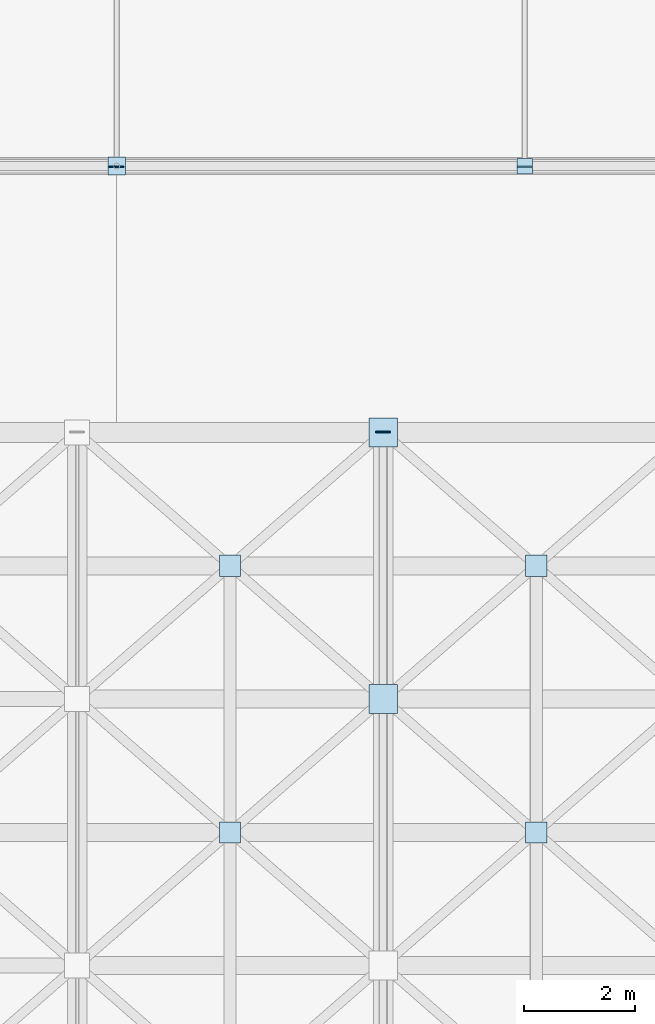
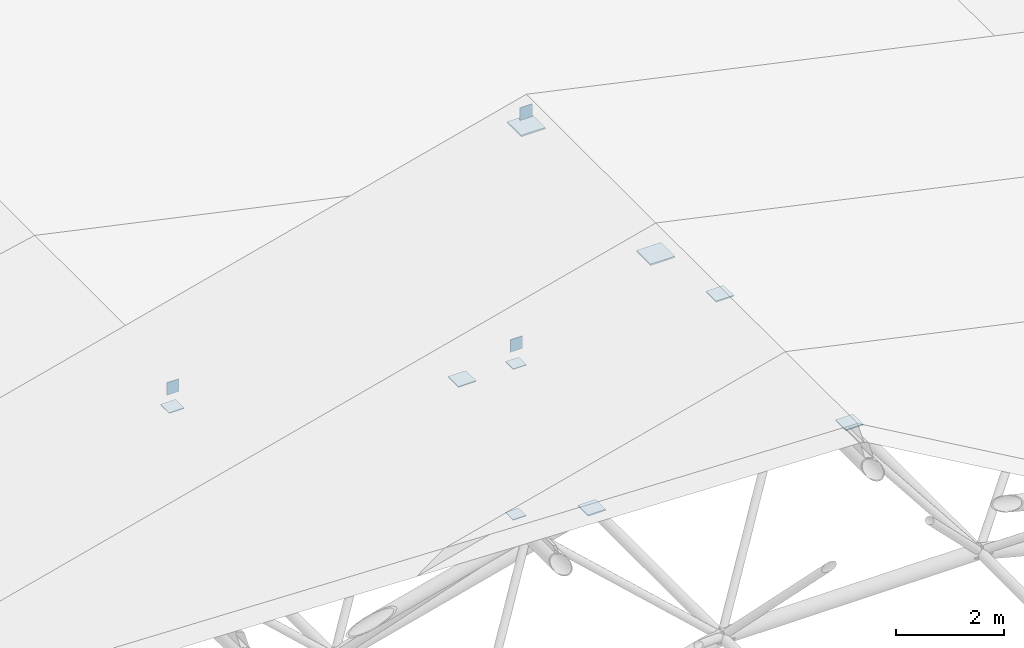
# One storey, part 49 of 60: 12 plates.
"""IFC4 building model written with IfcOpenShell, lengths in metres."""

from ifc_helpers import new_model, si_unit, direction, frame, origin, origin_2d, place, context, subcontext, project, spatial, rectangle, extrude, material, type_object, element, save


model = new_model("IFC4")

# Units and contexts
model_context = context("Model", 3, precision=1e-05, world=origin(), true_north=direction((0.0, 1.0)))
body_context = subcontext(model_context, "Body", "Model", "MODEL_VIEW")
ifc_project = project(units=[si_unit("LENGTHUNIT", "METRE"), si_unit("AREAUNIT", "SQUARE_METRE"), si_unit("VOLUMEUNIT", "CUBIC_METRE"), si_unit("PLANEANGLEUNIT", "RADIAN"), si_unit("MASSUNIT", "GRAM", prefix="KILO")], contexts=[model_context])

# Site, building, storey
site_placement = place(None, origin())
site = spatial("IfcSite", under=ifc_project, at=site_placement, CompositionType="ELEMENT")
building_placement = place(site_placement, origin())
building = spatial("IfcBuilding", under=site, at=building_placement, Name="Nakhvara Creek Congress Hotel", CompositionType="ELEMENT")
storey_placement = place(building_placement, frame((0.0, 0.0, 54.60009765625)))
storey = spatial("IfcBuildingStorey", under=building, at=storey_placement, Name="RL1", CompositionType="ELEMENT", Elevation=54.60009765625)

# Plates
ifc_material = material(Name="Steel S355J2", Category="steel")
plate_type_1 = type_object("IfcPlateType", Name="PLT-CAP-260X280X20", PredefinedType="USERDEFINED", material=ifc_material)
for number, where, z_axis, x_axis, name in (
    (1, (31.199951171875, 86.409912109375, -29.13330078125), (0.0, 0.0, 1.0), (1.0, 0.0, 0.0), "Congress Purlin End-Cap Plate SN08-05N"),
    (2, (26.39990234375, 91.18994140625, -36.57373046875), (0.0, 0.0, 1.0), (1.0, 0.0, 0.0), "Ballroom Purlin End-Cap Plate SN08-4S"),
    (3, (33.75, 91.18994140625, -38.173828125), (0.0, 0.0, 1.0), (1.0, 0.0, 0.0), "Ballroom Purlin End-Cap Plate SN08-5S"),
):
    element("IfcPlate", number, at=place(storey_placement, frame(where, z_axis=z_axis, x_axis=x_axis)), inside=storey, type_object=plate_type_1, Name=name, ObjectType="GUSSET_PLATE", PredefinedType="USERDEFINED", context=body_context, shape_type="SweptSolid", body=[
        extrude(rectangle(XDim=0.260009765625, YDim=0.02001953125, at=origin_2d()), origin(), (0.0, 0.0, 1.0), 0.280029296875),
    ])
plate_type_2 = type_object("IfcPlateType", Name="PLT-NODE-280X280X18", PredefinedType="USERDEFINED", material=ifc_material)
for number, where, z_axis, x_axis, name in (
    (4, (33.75, 91.199951171875, -41.899169921875), (0.0, 0.0, 1.0), (1.0, 0.0, 0.0), "Ballroom Truss Node Gusset Plate SN-007"),
    (5, (33.75, 91.199951171875, -38.489013671875), (0.0, 0.0, 1.0), (1.0, 0.0, 0.0), "Ballroom Truss Rafter Gusset Plate SN-008"),
):
    element("IfcPlate", number, at=place(storey_placement, frame(where, z_axis=z_axis, x_axis=x_axis)), inside=storey, type_object=plate_type_2, Name=name, ObjectType="GUSSET_PLATE", PredefinedType="USERDEFINED", context=body_context, shape_type="SweptSolid", body=[
        extrude(rectangle(XDim=0.280029296875, YDim=0.280029296875, at=origin_2d()), origin(), (0.0, 0.0, 1.0), 0.01806640625),
    ])
plate_type_3 = type_object("IfcPlateType", Name="PLT-NODE-320X320X20", PredefinedType="USERDEFINED", material=ifc_material)
plate_placement = place(storey_placement, frame((26.39990234375, 91.199951171875, -36.89013671875), z_axis=(0.0, 0.0, 1.0), x_axis=(1.0, 0.0, 0.0)))
element("IfcPlate", 6, at=plate_placement, inside=storey, type_object=plate_type_3, Name="Ballroom Truss Node Gusset Plate SN-006", ObjectType="GUSSET_PLATE", PredefinedType="USERDEFINED", context=body_context, shape_type="SweptSolid", body=[
    extrude(rectangle(XDim=0.320068359375, YDim=0.320068359375, at=origin_2d()), origin(), (0.0, 0.0, 1.0), 0.02001953125),
])
plate_type_4 = type_object("IfcPlateType", Name="PLT-NODE-380X380X24", PredefinedType="USERDEFINED", material=ifc_material)
for number, where, z_axis, x_axis, name in (
    (7, (28.44384765625, 79.199951171875, -32.6220703125), (0.0, 0.0, 1.0), (1.0, 0.0, 0.0), "Congress Roof Truss Bottom Node Plate SN-184"),
    (8, (33.956298828125, 79.199951171875, -32.6220703125), (0.0, 0.0, 1.0), (1.0, 0.0, 0.0), "Congress Roof Truss Bottom Node Plate SN-185"),
    (9, (28.44384765625, 84.0, -32.6220703125), (0.0, 0.0, 1.0), (1.0, 0.0, 0.0), "Congress Roof Truss Bottom Node Plate SN-192"),
    (10, (33.956298828125, 84.0, -32.6220703125), (0.0, 0.0, 1.0), (1.0, 0.0, 0.0), "Congress Roof Truss Bottom Node Plate SN-193"),
):
    element("IfcPlate", number, at=place(storey_placement, frame(where, z_axis=z_axis, x_axis=x_axis)), inside=storey, type_object=plate_type_4, Name=name, ObjectType="GUSSET_PLATE", PredefinedType="USERDEFINED", context=body_context, shape_type="SweptSolid", body=[
        extrude(rectangle(XDim=0.3798828125, YDim=0.3798828125, at=origin_2d()), origin(), (0.0, 0.0, 1.0), 0.02392578125),
    ])
plate_type_5 = type_object("IfcPlateType", Name="PLT-NODE-520X520X32", PredefinedType="USERDEFINED", material=ifc_material)
for number, where, z_axis, x_axis, name in (
    (11, (31.199951171875, 81.60009765625, -29.30615234375), (0.0, 0.0, 1.0), (1.0, 0.0, 0.0), "Congress Roof Truss Node Plate SN-095"),
    (12, (31.199951171875, 86.39990234375, -29.30615234375), (0.0, 0.0, 1.0), (1.0, 0.0, 0.0), "Congress Roof Truss Node Plate SN-104"),
):
    element("IfcPlate", number, at=place(storey_placement, frame(where, z_axis=z_axis, x_axis=x_axis)), inside=storey, type_object=plate_type_5, Name=name, ObjectType="GUSSET_PLATE", PredefinedType="USERDEFINED", context=body_context, shape_type="SweptSolid", body=[
        extrude(rectangle(XDim=0.52001953125, YDim=0.52001953125, at=origin_2d()), origin(), (0.0, 0.0, 1.0), 0.031982421875),
    ])

save(model, "model.ifc")
